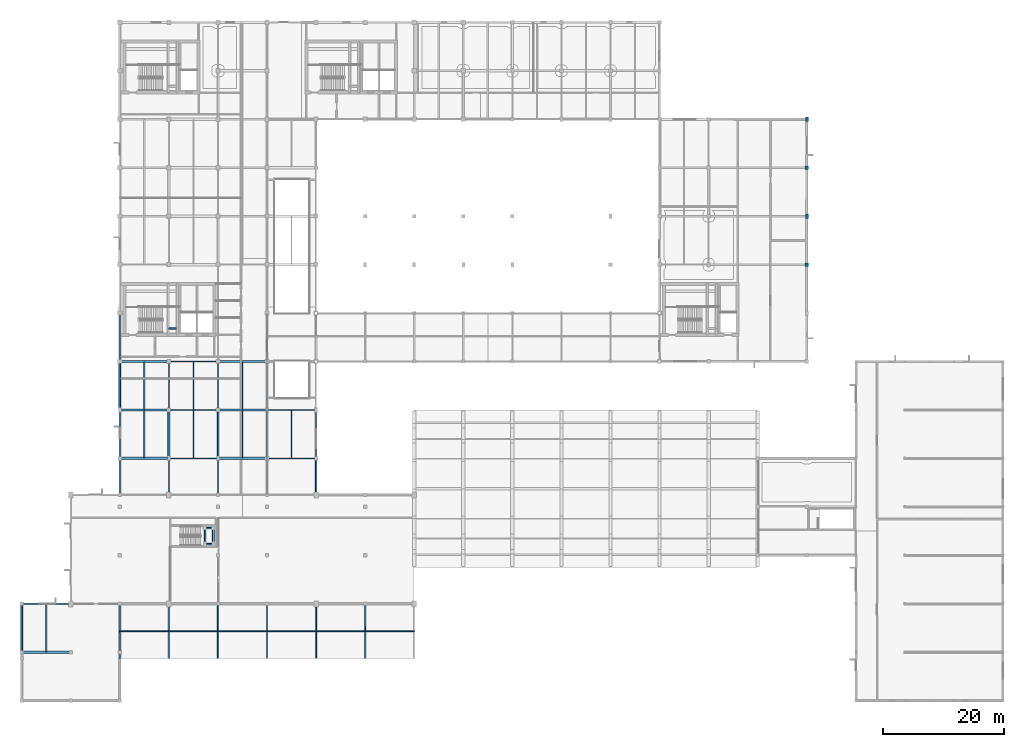
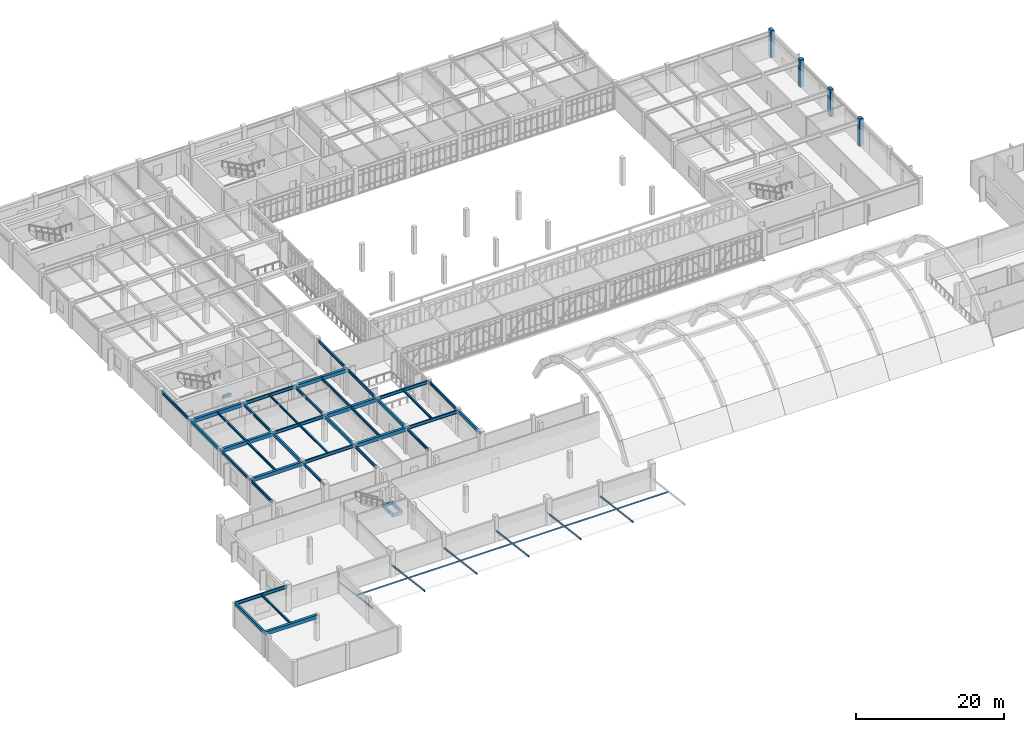
# One storey, part 4 of 67: 43 beams, 12 members, 4 columns.
"""IFC4 building model written with IfcOpenShell, lengths in metres."""

from ifc_helpers import new_model, si_unit, direction, frame, origin, origin_2d, place, context, subcontext, project, spatial, rectangle, hollow_rectangle, i_section, extrude, material, material_profile, profile_set, type_object, element, save


model = new_model("IFC4")

# Units and contexts
model_context = context("Model", 3, precision=1e-05, world=origin(), true_north=direction((0.0, 1.0)))
body_context = subcontext(model_context, "Body", "Model", "MODEL_VIEW")
ifc_project = project(units=[si_unit("LENGTHUNIT", "METRE"), si_unit("AREAUNIT", "SQUARE_METRE"), si_unit("VOLUMEUNIT", "CUBIC_METRE"), si_unit("PLANEANGLEUNIT", "RADIAN"), si_unit("MASSUNIT", "GRAM", prefix="KILO")], contexts=[model_context])

# Site, building, storey
site_placement = place(None, origin())
site = spatial("IfcSite", under=ifc_project, at=site_placement, CompositionType="ELEMENT")
building_placement = place(site_placement, origin())
building = spatial("IfcBuilding", under=site, at=building_placement, Name="Tarnveldt Square Police Headquarters", CompositionType="ELEMENT")
storey_placement = place(building_placement, frame((0.0, 0.0, 10.199951171875)))
storey = spatial("IfcBuildingStorey", under=building, at=storey_placement, Name="L02", CompositionType="ELEMENT", Elevation=10.199951171875)

# Columns
ifc_material_1 = material(Name="Concrete 40 MPa", Category="concrete")
ifc_material_profile_1 = material_profile(ifc_material_1, rectangle(XDim=0.5, YDim=0.75, at=origin_2d()), Name="RC-C500x750")
ifc_profile_set_1 = profile_set([ifc_material_profile_1], Name="Concrete 40 MPa")
column_type_1 = type_object("IfcColumnType", Name="COL-RC500x750", PredefinedType="COLUMN", material=ifc_profile_set_1)
for number, where, z_axis, x_axis, name in (
    (1, (129.60009765625, 80.0, 0.0), (0.0, 0.0, 1.0), (1.0, 0.0, 0.0), "L02 Column 175"),
    (2, (129.60009765625, 96.0, 0.0), (0.0, 0.0, 1.0), (1.0, 0.0, 0.0), "L02 Column 177"),
):
    element("IfcColumn", number, at=place(storey_placement, frame(where, z_axis=z_axis, x_axis=x_axis)), inside=storey, type_object=column_type_1, Name=name, PredefinedType="COLUMN", context=body_context, shape_type="SweptSolid", body=[
        extrude(rectangle(XDim=0.5, YDim=0.75, at=origin_2d()), origin(), (0.0, 0.0, 1.0), 4.5),
    ])
ifc_material_profile_2 = material_profile(ifc_material_1, rectangle(XDim=0.60009765625, YDim=0.60009765625, at=origin_2d()), Name="RC-C600x600")
ifc_profile_set_2 = profile_set([ifc_material_profile_2], Name="Concrete 40 MPa")
column_type_2 = type_object("IfcColumnType", Name="COL-RC600", PredefinedType="COLUMN", material=ifc_profile_set_2)
for number, where, z_axis, x_axis, name in (
    (3, (129.60009765625, 72.0, 0.0), (0.0, 0.0, 1.0), (1.0, 0.0, 0.0), "L02 Column 174"),
    (4, (129.60009765625, 88.0, 0.0), (0.0, 0.0, 1.0), (1.0, 0.0, 0.0), "L02 Column 176"),
):
    element("IfcColumn", number, at=place(storey_placement, frame(where, z_axis=z_axis, x_axis=x_axis)), inside=storey, type_object=column_type_2, Name=name, PredefinedType="COLUMN", context=body_context, shape_type="SweptSolid", body=[
        extrude(rectangle(XDim=0.60009765625, YDim=0.60009765625, at=origin_2d()), origin(), (0.0, 0.0, 1.0), 4.5),
    ])

# Beams
ifc_material_profile_3 = material_profile(ifc_material_1, rectangle(XDim=0.300048828125, YDim=0.5, at=origin_2d()), Name="RC-B300x500")
ifc_profile_set_3 = profile_set([ifc_material_profile_3], Name="Concrete 40 MPa")
beam_type_1 = type_object("IfcBeamType", Name="BM-RC300x500", PredefinedType="BEAM", material=ifc_profile_set_3)
beam_1_placement = place(storey_placement, frame((24.25, 61.449951171875, 1.800048828125), z_axis=(1.0, 0.0, 0.0), x_axis=(0.0, 1.0, 0.0)))
element("IfcBeam", 5, at=beam_1_placement, inside=storey, type_object=beam_type_1, Name="ST1 L02 Half-Landing Support Beam 2", PredefinedType="BEAM", context=body_context, shape_type="SweptSolid", body=[
    extrude(rectangle(XDim=0.300048828125, YDim=0.5, at=origin_2d()), origin(), (0.0, 0.0, 1.0), 1.300048828125),
])
for number, where, z_axis, x_axis, name in (
    (6, (30.25, 25.8798828125, 1.820068359375), (0.0, 1.0, 0.0), (-1.0, 0.0, 0.0), "ST6 L02 Half-Landing West Support Beam"),
    (7, (31.64990234375, 25.8798828125, 1.820068359375), (0.0, 1.0, 0.0), (-1.0, 0.0, 0.0), "ST6 L02 Half-Landing East Support Beam"),
):
    element("IfcBeam", number, at=place(storey_placement, frame(where, z_axis=z_axis, x_axis=x_axis)), inside=storey, type_object=beam_type_1, Name=name, PredefinedType="BEAM", context=body_context, shape_type="SweptSolid", body=[
        extrude(rectangle(XDim=0.300048828125, YDim=0.5, at=origin_2d()), origin(), (0.0, 0.0, 1.0), 2.64013671875),
    ])
for number, where, z_axis, x_axis, name in (
    (8, (30.25, 25.8798828125, 1.820068359375), (1.0, 0.0, 0.0), (0.0, 1.0, 0.0), "ST6 L02 Half-Landing South Support Beam"),
    (9, (30.25, 28.52001953125, 1.820068359375), (1.0, 0.0, 0.0), (0.0, 1.0, 0.0), "ST6 L02 Half-Landing North Support Beam"),
):
    element("IfcBeam", number, at=place(storey_placement, frame(where, z_axis=z_axis, x_axis=x_axis)), inside=storey, type_object=beam_type_1, Name=name, PredefinedType="BEAM", context=body_context, shape_type="SweptSolid", body=[
        extrude(rectangle(XDim=0.300048828125, YDim=0.5, at=origin_2d()), origin(), (0.0, 0.0, 1.0), 1.39990234375),
    ])
for number, where, z_axis, x_axis, name in (
    (10, (0.0, 8.0, 3.91015625), (0.0, 1.0, 0.0), (-1.0, 0.0, 0.0), "L03 Grid Girder Y-0739"),
    (11, (16.199951171875, 48.0, 3.989990234375), (0.0, 1.0, 0.0), (-1.0, 0.0, 0.0), "L03 Grid Girder Y-0742"),
    (12, (24.300048828125, 40.0, 3.989990234375), (0.0, 1.0, 0.0), (-1.0, 0.0, 0.0), "L03 Grid Girder Y-0751"),
    (13, (32.39990234375, 40.0, 3.989990234375), (0.0, 1.0, 0.0), (-1.0, 0.0, 0.0), "L03 Grid Girder Y-0757"),
    (14, (40.5, 40.0, 3.989990234375), (0.0, 1.0, 0.0), (-1.0, 0.0, 0.0), "L03 Grid Girder Y-0766"),
):
    element("IfcBeam", number, at=place(storey_placement, frame(where, z_axis=z_axis, x_axis=x_axis)), inside=storey, type_object=beam_type_1, Name=name, PredefinedType="BEAM", context=body_context, shape_type="SweptSolid", body=[
        extrude(rectangle(XDim=0.300048828125, YDim=0.5, at=origin_2d()), origin(), (0.0, 0.0, 1.0), 8.0),
    ])
beam_2_placement = place(storey_placement, frame((48.60009765625, 34.0, 3.989990234375), z_axis=(0.0, 1.0, 0.0), x_axis=(-1.0, 0.0, 0.0)))
element("IfcBeam", 15, at=beam_2_placement, inside=storey, type_object=beam_type_1, Name="L03 Grid Girder Y-0775", PredefinedType="BEAM", context=body_context, shape_type="SweptSolid", body=[
    extrude(rectangle(XDim=0.300048828125, YDim=0.5, at=origin_2d()), origin(), (0.0, 0.0, 1.0), 6.0),
])
ifc_material_profile_4 = material_profile(ifc_material_1, rectangle(XDim=0.39990234375, YDim=0.60009765625, at=origin_2d()), Name="RC-B400x600")
ifc_profile_set_4 = profile_set([ifc_material_profile_4], Name="Concrete 40 MPa")
beam_type_2 = type_object("IfcBeamType", Name="BM-RC400x600", PredefinedType="BEAM", material=ifc_profile_set_4)
for number, where, z_axis, x_axis, name in (
    (16, (0.0, 8.0, 3.860107421875), (1.0, 0.0, 0.0), (0.0, 1.0, 0.0), "L03 Grid Girder X-0676"),
    (17, (16.199951171875, 40.0, 3.93994140625), (1.0, 0.0, 0.0), (0.0, 1.0, 0.0), "L03 Grid Girder X-0678"),
    (18, (32.39990234375, 40.0, 3.93994140625), (1.0, 0.0, 0.0), (0.0, 1.0, 0.0), "L03 Grid Girder X-0680"),
    (19, (16.199951171875, 48.0, 3.93994140625), (1.0, 0.0, 0.0), (0.0, 1.0, 0.0), "L03 Grid Girder X-0682"),
    (20, (32.39990234375, 48.0, 3.93994140625), (1.0, 0.0, 0.0), (0.0, 1.0, 0.0), "L03 Grid Girder X-0684"),
    (21, (16.199951171875, 56.0, 3.93994140625), (1.0, 0.0, 0.0), (0.0, 1.0, 0.0), "L03 Grid Girder X-0686"),
    (22, (32.39990234375, 56.0, 3.93994140625), (1.0, 0.0, 0.0), (0.0, 1.0, 0.0), "L03 Grid Girder X-0688"),
):
    element("IfcBeam", number, at=place(storey_placement, frame(where, z_axis=z_axis, x_axis=x_axis)), inside=storey, type_object=beam_type_2, Name=name, PredefinedType="BEAM", context=body_context, shape_type="SweptSolid", body=[
        extrude(rectangle(XDim=0.39990234375, YDim=0.60009765625, at=origin_2d()), origin(), (0.0, 0.0, 1.0), 8.10009765625),
    ])
ifc_material_2 = material(Name="Steel 350W", Category="steel")
ifc_material_profile_5 = material_profile(ifc_material_2, i_section(OverallWidth=0.202880859375, OverallDepth=0.302978515625, WebThickness=0.007568359375, FlangeThickness=0.01318359375, FilletRadius=0.014892578125, at=origin_2d()), Name="W310x60")
ifc_profile_set_5 = profile_set([ifc_material_profile_5], Name="Steel 350W")
beam_type_3 = type_object("IfcBeamType", Name="BM-W310x60", PredefinedType="JOIST", material=ifc_profile_set_5)
for number, where, z_axis, x_axis, name in (
    (23, (28.35009765625, 40.080078125, 4.088623046875), (0.0, 1.0, 0.0), (-1.0, 0.0, 0.0), "L03 Secondary Floor Joist 0148"),
    (24, (28.35009765625, 48.080078125, 4.088623046875), (0.0, 1.0, 0.0), (-1.0, 0.0, 0.0), "L03 Secondary Floor Joist 0152"),
):
    element("IfcBeam", number, at=place(storey_placement, frame(where, z_axis=z_axis, x_axis=x_axis)), inside=storey, type_object=beam_type_3, Name=name, PredefinedType="JOIST", context=body_context, shape_type="SweptSolid", body=[
        extrude(i_section(OverallWidth=0.202880859375, OverallDepth=0.302978515625, WebThickness=0.007568359375, FlangeThickness=0.01318359375, FilletRadius=0.014892578125, at=origin_2d()), origin(), (0.0, 0.0, 1.0), 7.83984375),
    ])
ifc_material_profile_6 = material_profile(ifc_material_2, i_section(OverallWidth=0.202880859375, OverallDepth=0.346923828125, WebThickness=0.0078125, FlangeThickness=0.013427734375, FilletRadius=0.01611328125, at=origin_2d()), Name="W360x64")
ifc_profile_set_6 = profile_set([ifc_material_profile_6], Name="Steel 350W")
beam_type_4 = type_object("IfcBeamType", Name="BM-W360x64", PredefinedType="JOIST", material=ifc_profile_set_6)
for number, where, z_axis, x_axis, name in (
    (25, (20.25, 40.080078125, 4.066650390625), (0.0, 1.0, 0.0), (-1.0, 0.0, 0.0), "L03 Secondary Floor Joist 0147"),
    (26, (20.25, 48.080078125, 4.066650390625), (0.0, 1.0, 0.0), (-1.0, 0.0, 0.0), "L03 Secondary Floor Joist 0151"),
):
    element("IfcBeam", number, at=place(storey_placement, frame(where, z_axis=z_axis, x_axis=x_axis)), inside=storey, type_object=beam_type_4, Name=name, PredefinedType="JOIST", context=body_context, shape_type="SweptSolid", body=[
        extrude(i_section(OverallWidth=0.202880859375, OverallDepth=0.346923828125, WebThickness=0.0078125, FlangeThickness=0.013427734375, FilletRadius=0.01611328125, at=origin_2d()), origin(), (0.0, 0.0, 1.0), 7.83984375),
    ])
ifc_material_profile_7 = material_profile(ifc_material_2, i_section(OverallWidth=0.205078125, OverallDepth=0.35400390625, WebThickness=0.009521484375, FlangeThickness=0.016845703125, FilletRadius=0.01611328125, at=origin_2d()), Name="W360x79")
ifc_profile_set_7 = profile_set([ifc_material_profile_7], Name="Steel 350W")
beam_type_5 = type_object("IfcBeamType", Name="BM-W360x79", PredefinedType="JOIST", material=ifc_profile_set_7)
for number, where, z_axis, x_axis, name in (
    (27, (4.050048828125, 8.080078125, 3.983154296875), (0.0, 1.0, 0.0), (-1.0, 0.0, 0.0), "L03 Secondary Floor Joist 0146"),
    (28, (44.550048828125, 40.080078125, 4.06298828125), (0.0, 1.0, 0.0), (-1.0, 0.0, 0.0), "L03 Secondary Floor Joist 0150"),
):
    element("IfcBeam", number, at=place(storey_placement, frame(where, z_axis=z_axis, x_axis=x_axis)), inside=storey, type_object=beam_type_5, Name=name, PredefinedType="JOIST", context=body_context, shape_type="SweptSolid", body=[
        extrude(i_section(OverallWidth=0.205078125, OverallDepth=0.35400390625, WebThickness=0.009521484375, FlangeThickness=0.016845703125, FilletRadius=0.01611328125, at=origin_2d()), origin(), (0.0, 0.0, 1.0), 7.83984375),
    ])
ifc_material_profile_8 = material_profile(ifc_material_2, i_section(OverallWidth=0.177978515625, OverallDepth=0.406982421875, WebThickness=0.0078125, FlangeThickness=0.0126953125, FilletRadius=0.01611328125, at=origin_2d()), Name="W410x60")
ifc_profile_set_8 = profile_set([ifc_material_profile_8], Name="Steel 350W")
beam_type_6 = type_object("IfcBeamType", Name="BM-W410x60", PredefinedType="JOIST", material=ifc_profile_set_8)
for number, where, z_axis, x_axis, name in (
    (29, (36.449951171875, 40.080078125, 4.03662109375), (0.0, 1.0, 0.0), (-1.0, 0.0, 0.0), "L03 Secondary Floor Joist 0149"),
    (30, (36.449951171875, 48.080078125, 4.03662109375), (0.0, 1.0, 0.0), (-1.0, 0.0, 0.0), "L03 Secondary Floor Joist 0153"),
):
    element("IfcBeam", number, at=place(storey_placement, frame(where, z_axis=z_axis, x_axis=x_axis)), inside=storey, type_object=beam_type_6, Name=name, PredefinedType="JOIST", context=body_context, shape_type="SweptSolid", body=[
        extrude(i_section(OverallWidth=0.177978515625, OverallDepth=0.406982421875, WebThickness=0.0078125, FlangeThickness=0.0126953125, FilletRadius=0.01611328125, at=origin_2d()), origin(), (0.0, 0.0, 1.0), 7.83984375),
    ])
ifc_material_profile_9 = material_profile(ifc_material_2, i_section(OverallWidth=0.19189453125, OverallDepth=0.462890625, WebThickness=0.010498046875, FlangeThickness=0.017578125, FilletRadius=0.01806640625, at=origin_2d()), Name="W460x89")
ifc_profile_set_9 = profile_set([ifc_material_profile_9], Name="Steel 350W")
beam_type_7 = type_object("IfcBeamType", Name="BM-W460x89", PredefinedType="BEAM", material=ifc_profile_set_9)
beam_3_placement = place(storey_placement, frame((16.199951171875, 34.0, 4.008544921875), z_axis=(0.0, 1.0, 0.0), x_axis=(-1.0, 0.0, 0.0)))
element("IfcBeam", 31, at=beam_3_placement, inside=storey, type_object=beam_type_7, Name="L03 Grid Girder Y-0740", PredefinedType="BEAM", context=body_context, shape_type="SweptSolid", body=[
    extrude(i_section(OverallWidth=0.19189453125, OverallDepth=0.462890625, WebThickness=0.010498046875, FlangeThickness=0.017578125, FilletRadius=0.01806640625, at=origin_2d()), origin(), (0.0, 0.0, 1.0), 6.0),
])
for number, where, z_axis, x_axis, name in (
    (32, (16.199951171875, 40.0, 4.008544921875), (0.0, 1.0, 0.0), (-1.0, 0.0, 0.0), "L03 Grid Girder Y-0741"),
    (33, (16.199951171875, 56.0, 4.008544921875), (0.0, 1.0, 0.0), (-1.0, 0.0, 0.0), "L03 Grid Girder Y-0743"),
):
    element("IfcBeam", number, at=place(storey_placement, frame(where, z_axis=z_axis, x_axis=x_axis)), inside=storey, type_object=beam_type_7, Name=name, PredefinedType="BEAM", context=body_context, shape_type="SweptSolid", body=[
        extrude(i_section(OverallWidth=0.19189453125, OverallDepth=0.462890625, WebThickness=0.010498046875, FlangeThickness=0.017578125, FilletRadius=0.01806640625, at=origin_2d()), origin(), (0.0, 0.0, 1.0), 8.0),
    ])
beam_4_placement = place(storey_placement, frame((24.300048828125, 34.0, 4.008544921875), z_axis=(0.0, 1.0, 0.0), x_axis=(-1.0, 0.0, 0.0)))
element("IfcBeam", 34, at=beam_4_placement, inside=storey, type_object=beam_type_7, Name="L03 Grid Girder Y-0750", PredefinedType="BEAM", context=body_context, shape_type="SweptSolid", body=[
    extrude(i_section(OverallWidth=0.19189453125, OverallDepth=0.462890625, WebThickness=0.010498046875, FlangeThickness=0.017578125, FilletRadius=0.01806640625, at=origin_2d()), origin(), (0.0, 0.0, 1.0), 6.0),
])
beam_5_placement = place(storey_placement, frame((24.300048828125, 48.0, 4.008544921875), z_axis=(0.0, 1.0, 0.0), x_axis=(-1.0, 0.0, 0.0)))
element("IfcBeam", 35, at=beam_5_placement, inside=storey, type_object=beam_type_7, Name="L03 Grid Girder Y-0752", PredefinedType="BEAM", context=body_context, shape_type="SweptSolid", body=[
    extrude(i_section(OverallWidth=0.19189453125, OverallDepth=0.462890625, WebThickness=0.010498046875, FlangeThickness=0.017578125, FilletRadius=0.01806640625, at=origin_2d()), origin(), (0.0, 0.0, 1.0), 8.0),
])
beam_6_placement = place(storey_placement, frame((32.39990234375, 34.0, 4.008544921875), z_axis=(0.0, 1.0, 0.0), x_axis=(-1.0, 0.0, 0.0)))
element("IfcBeam", 36, at=beam_6_placement, inside=storey, type_object=beam_type_7, Name="L03 Grid Girder Y-0756", PredefinedType="BEAM", context=body_context, shape_type="SweptSolid", body=[
    extrude(i_section(OverallWidth=0.19189453125, OverallDepth=0.462890625, WebThickness=0.010498046875, FlangeThickness=0.017578125, FilletRadius=0.01806640625, at=origin_2d()), origin(), (0.0, 0.0, 1.0), 6.0),
])
beam_7_placement = place(storey_placement, frame((32.39990234375, 48.0, 4.008544921875), z_axis=(0.0, 1.0, 0.0), x_axis=(-1.0, 0.0, 0.0)))
element("IfcBeam", 37, at=beam_7_placement, inside=storey, type_object=beam_type_7, Name="L03 Grid Girder Y-0758", PredefinedType="BEAM", context=body_context, shape_type="SweptSolid", body=[
    extrude(i_section(OverallWidth=0.19189453125, OverallDepth=0.462890625, WebThickness=0.010498046875, FlangeThickness=0.017578125, FilletRadius=0.01806640625, at=origin_2d()), origin(), (0.0, 0.0, 1.0), 8.0),
])
beam_8_placement = place(storey_placement, frame((40.5, 34.0, 4.008544921875), z_axis=(0.0, 1.0, 0.0), x_axis=(-1.0, 0.0, 0.0)))
element("IfcBeam", 38, at=beam_8_placement, inside=storey, type_object=beam_type_7, Name="L03 Grid Girder Y-0765", PredefinedType="BEAM", context=body_context, shape_type="SweptSolid", body=[
    extrude(i_section(OverallWidth=0.19189453125, OverallDepth=0.462890625, WebThickness=0.010498046875, FlangeThickness=0.017578125, FilletRadius=0.01806640625, at=origin_2d()), origin(), (0.0, 0.0, 1.0), 6.0),
])
for number, where, z_axis, x_axis, name in (
    (39, (40.5, 48.0, 4.008544921875), (0.0, 1.0, 0.0), (-1.0, 0.0, 0.0), "L03 Grid Girder Y-0767"),
    (40, (40.5, 56.0, 4.008544921875), (0.0, 1.0, 0.0), (-1.0, 0.0, 0.0), "L03 Grid Girder Y-0768"),
    (41, (48.60009765625, 40.0, 4.008544921875), (0.0, 1.0, 0.0), (-1.0, 0.0, 0.0), "L03 Grid Girder Y-0776"),
):
    element("IfcBeam", number, at=place(storey_placement, frame(where, z_axis=z_axis, x_axis=x_axis)), inside=storey, type_object=beam_type_7, Name=name, PredefinedType="BEAM", context=body_context, shape_type="SweptSolid", body=[
        extrude(i_section(OverallWidth=0.19189453125, OverallDepth=0.462890625, WebThickness=0.010498046875, FlangeThickness=0.017578125, FilletRadius=0.01806640625, at=origin_2d()), origin(), (0.0, 0.0, 1.0), 8.0),
    ])
ifc_material_profile_10 = material_profile(ifc_material_2, i_section(OverallWidth=0.208984375, OverallDepth=0.532958984375, WebThickness=0.01025390625, FlangeThickness=0.015625, FilletRadius=0.01904296875, at=origin_2d()), Name="W530x92")
ifc_profile_set_10 = profile_set([ifc_material_profile_10], Name="Steel 350W")
beam_type_8 = type_object("IfcBeamType", Name="BM-W530x92", PredefinedType="BEAM", material=ifc_profile_set_10)
beam_9_placement = place(storey_placement, frame((0.0, 16.0, 3.8935546875), z_axis=(1.0, 0.0, 0.0), x_axis=(0.0, 1.0, 0.0)))
element("IfcBeam", 42, at=beam_9_placement, inside=storey, type_object=beam_type_8, Name="L03 Grid Girder X-0677", PredefinedType="BEAM", context=body_context, shape_type="SweptSolid", body=[
    extrude(i_section(OverallWidth=0.208984375, OverallDepth=0.532958984375, WebThickness=0.01025390625, FlangeThickness=0.015625, FilletRadius=0.01904296875, at=origin_2d()), origin(), (0.0, 0.0, 1.0), 8.10009765625),
])
beam_10_placement = place(storey_placement, frame((24.300048828125, 40.0, 3.9736328125), z_axis=(1.0, 0.0, 0.0), x_axis=(0.0, 1.0, 0.0)))
element("IfcBeam", 43, at=beam_10_placement, inside=storey, type_object=beam_type_8, Name="L03 Grid Girder X-0679", PredefinedType="BEAM", context=body_context, shape_type="SweptSolid", body=[
    extrude(i_section(OverallWidth=0.208984375, OverallDepth=0.532958984375, WebThickness=0.01025390625, FlangeThickness=0.015625, FilletRadius=0.01904296875, at=origin_2d()), origin(), (0.0, 0.0, 1.0), 8.099853515625),
])
beam_11_placement = place(storey_placement, frame((40.5, 40.0, 3.9736328125), z_axis=(1.0, 0.0, 0.0), x_axis=(0.0, 1.0, 0.0)))
element("IfcBeam", 44, at=beam_11_placement, inside=storey, type_object=beam_type_8, Name="L03 Grid Girder X-0681", PredefinedType="BEAM", context=body_context, shape_type="SweptSolid", body=[
    extrude(i_section(OverallWidth=0.208984375, OverallDepth=0.532958984375, WebThickness=0.01025390625, FlangeThickness=0.015625, FilletRadius=0.01904296875, at=origin_2d()), origin(), (0.0, 0.0, 1.0), 8.10009765625),
])
beam_12_placement = place(storey_placement, frame((24.300048828125, 48.0, 3.9736328125), z_axis=(1.0, 0.0, 0.0), x_axis=(0.0, 1.0, 0.0)))
element("IfcBeam", 45, at=beam_12_placement, inside=storey, type_object=beam_type_8, Name="L03 Grid Girder X-0683", PredefinedType="BEAM", context=body_context, shape_type="SweptSolid", body=[
    extrude(i_section(OverallWidth=0.208984375, OverallDepth=0.532958984375, WebThickness=0.01025390625, FlangeThickness=0.015625, FilletRadius=0.01904296875, at=origin_2d()), origin(), (0.0, 0.0, 1.0), 8.099853515625),
])
beam_13_placement = place(storey_placement, frame((40.5, 48.0, 3.9736328125), z_axis=(1.0, 0.0, 0.0), x_axis=(0.0, 1.0, 0.0)))
element("IfcBeam", 46, at=beam_13_placement, inside=storey, type_object=beam_type_8, Name="L03 Grid Girder X-0685", PredefinedType="BEAM", context=body_context, shape_type="SweptSolid", body=[
    extrude(i_section(OverallWidth=0.208984375, OverallDepth=0.532958984375, WebThickness=0.01025390625, FlangeThickness=0.015625, FilletRadius=0.01904296875, at=origin_2d()), origin(), (0.0, 0.0, 1.0), 8.10009765625),
])
beam_14_placement = place(storey_placement, frame((24.300048828125, 56.0, 3.9736328125), z_axis=(1.0, 0.0, 0.0), x_axis=(0.0, 1.0, 0.0)))
element("IfcBeam", 47, at=beam_14_placement, inside=storey, type_object=beam_type_8, Name="L03 Grid Girder X-0687", PredefinedType="BEAM", context=body_context, shape_type="SweptSolid", body=[
    extrude(i_section(OverallWidth=0.208984375, OverallDepth=0.532958984375, WebThickness=0.01025390625, FlangeThickness=0.015625, FilletRadius=0.01904296875, at=origin_2d()), origin(), (0.0, 0.0, 1.0), 8.099853515625),
])

# Members
ifc_material_profile_11 = material_profile(ifc_material_2, hollow_rectangle(XDim=0.15234375, YDim=0.203125, WallThickness=0.009521484375, InnerFilletRadius=0.009521484375, OuterFilletRadius=0.01904296875, at=origin_2d()), Name="HSS203x152x9.5")
ifc_profile_set_11 = profile_set([ifc_material_profile_11], Name="Steel 350W")
member_type_1 = type_object("IfcMemberType", Name="MEM-SOFFIT-P1", PredefinedType="PURLIN", material=ifc_profile_set_11)
member_1_placement = place(storey_placement, frame((16.199951171875, 11.5, 2.304931640625), z_axis=(1.0, 0.0, 0.0), x_axis=(0.0, 1.0, 0.0)))
element("IfcMember", 48, at=member_1_placement, inside=storey, type_object=member_type_1, Name="Lantern Raked Soffit Purlin 2", PredefinedType="PURLIN", context=body_context, shape_type="SweptSolid", body=[
    extrude(hollow_rectangle(XDim=0.15234375, YDim=0.203125, WallThickness=0.009521484375, InnerFilletRadius=0.009521484375, OuterFilletRadius=0.01904296875, at=origin_2d()), origin(), (0.0, 0.0, 1.0), 8.10009765625),
])
member_2_placement = place(storey_placement, frame((24.300048828125, 11.5, 2.304931640625), z_axis=(1.0, 0.0, 0.0), x_axis=(0.0, 1.0, 0.0)))
element("IfcMember", 49, at=member_2_placement, inside=storey, type_object=member_type_1, Name="Lantern Raked Soffit Purlin 3", PredefinedType="PURLIN", context=body_context, shape_type="SweptSolid", body=[
    extrude(hollow_rectangle(XDim=0.15234375, YDim=0.203125, WallThickness=0.009521484375, InnerFilletRadius=0.009521484375, OuterFilletRadius=0.01904296875, at=origin_2d()), origin(), (0.0, 0.0, 1.0), 8.099853515625),
])
for number, where, z_axis, x_axis, name in (
    (50, (32.39990234375, 11.5, 2.304931640625), (1.0, 0.0, 0.0), (0.0, 1.0, 0.0), "Lantern Raked Soffit Purlin 4"),
    (51, (40.5, 11.5, 2.304931640625), (1.0, 0.0, 0.0), (0.0, 1.0, 0.0), "Lantern Raked Soffit Purlin 5"),
):
    element("IfcMember", number, at=place(storey_placement, frame(where, z_axis=z_axis, x_axis=x_axis)), inside=storey, type_object=member_type_1, Name=name, PredefinedType="PURLIN", context=body_context, shape_type="SweptSolid", body=[
        extrude(hollow_rectangle(XDim=0.15234375, YDim=0.203125, WallThickness=0.009521484375, InnerFilletRadius=0.009521484375, OuterFilletRadius=0.01904296875, at=origin_2d()), origin(), (0.0, 0.0, 1.0), 8.10009765625),
    ])
member_3_placement = place(storey_placement, frame((48.60009765625, 11.5, 2.304931640625), z_axis=(1.0, 0.0, 0.0), x_axis=(0.0, 1.0, 0.0)))
element("IfcMember", 52, at=member_3_placement, inside=storey, type_object=member_type_1, Name="Lantern Raked Soffit Purlin 6", PredefinedType="PURLIN", context=body_context, shape_type="SweptSolid", body=[
    extrude(hollow_rectangle(XDim=0.15234375, YDim=0.203125, WallThickness=0.009521484375, InnerFilletRadius=0.009521484375, OuterFilletRadius=0.01904296875, at=origin_2d()), origin(), (0.0, 0.0, 1.0), 8.099853515625),
])
member_4_placement = place(storey_placement, frame((56.699951171875, 11.5, 2.304931640625), z_axis=(1.0, 0.0, 0.0), x_axis=(0.0, 1.0, 0.0)))
element("IfcMember", 53, at=member_4_placement, inside=storey, type_object=member_type_1, Name="Lantern Raked Soffit Purlin 7", PredefinedType="PURLIN", context=body_context, shape_type="SweptSolid", body=[
    extrude(hollow_rectangle(XDim=0.15234375, YDim=0.203125, WallThickness=0.009521484375, InnerFilletRadius=0.009521484375, OuterFilletRadius=0.01904296875, at=origin_2d()), origin(), (0.0, 0.0, 1.0), 8.10009765625),
])
ifc_material_profile_12 = material_profile(ifc_material_2, hollow_rectangle(XDim=0.15234375, YDim=0.25390625, WallThickness=0.010986328125, InnerFilletRadius=0.010986328125, OuterFilletRadius=0.022216796875, at=origin_2d()), Name="HSS254x152x11")
ifc_profile_set_12 = profile_set([ifc_material_profile_12], Name="Steel 350W")
member_type_2 = type_object("IfcMemberType", Name="MEM-SOFFIT-R1", PredefinedType="RAFTER", material=ifc_profile_set_12)
for number, where, z_axis, x_axis, name in (
    (54, (16.199951171875, 16.0, 1.75), (0.0, -0.991933014906, 0.126763141092), (1.0, 0.0, 0.0), "Lantern Raked Soffit Rafter 2"),
    (55, (24.300048828125, 16.0, 1.75), (0.0, -0.991933014906, 0.126763141092), (1.0, 0.0, 0.0), "Lantern Raked Soffit Rafter 3"),
    (56, (32.39990234375, 16.0, 1.75), (0.0, -0.991933014906, 0.126763141092), (1.0, 0.0, 0.0), "Lantern Raked Soffit Rafter 4"),
    (57, (40.5, 16.0, 1.75), (0.0, -0.991933014906, 0.126763141092), (1.0, 0.0, 0.0), "Lantern Raked Soffit Rafter 5"),
    (58, (48.60009765625, 16.0, 1.75), (0.0, -0.991933014906, 0.126763141092), (1.0, 0.0, 0.0), "Lantern Raked Soffit Rafter 6"),
    (59, (56.699951171875, 16.0, 1.75), (0.0, -0.991933014906, 0.126763141092), (1.0, 0.0, 0.0), "Lantern Raked Soffit Rafter 7"),
):
    element("IfcMember", number, at=place(storey_placement, frame(where, z_axis=z_axis, x_axis=x_axis)), inside=storey, type_object=member_type_2, Name=name, PredefinedType="RAFTER", context=body_context, shape_type="SweptSolid", body=[
        extrude(hollow_rectangle(XDim=0.15234375, YDim=0.25390625, WallThickness=0.010986328125, InnerFilletRadius=0.010986328125, OuterFilletRadius=0.022216796875, at=origin_2d()), origin(), (0.0, 0.0, 1.0), 9.0732421875),
    ])

save(model, "model.ifc")
